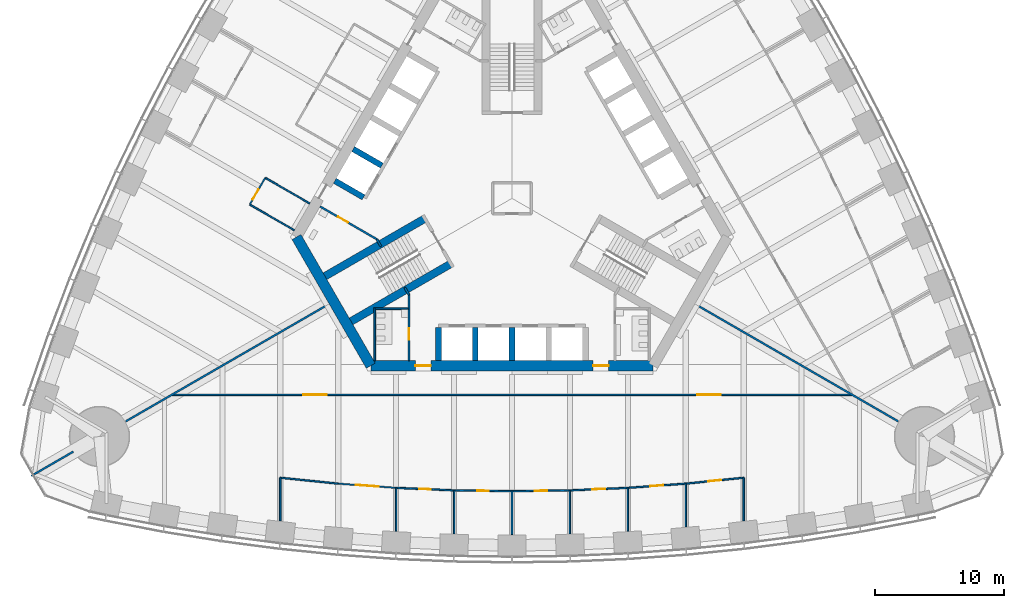
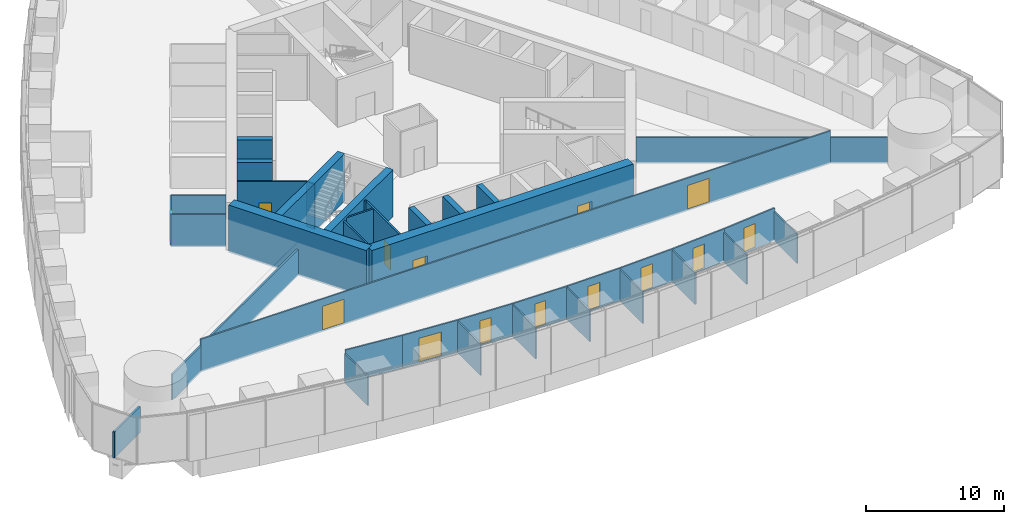
# One storey, part 10 of 18: 38 walls, 14 doors, 14 openings.
"""IFC4 building model written with IfcOpenShell, lengths in metres."""

import ifcopenshell
import ifcopenshell.guid

model = None  # the IFC model being written
_history = None  # IfcOwnerHistory: only IFC2X3 demands one
_inside = {}  # id of a spatial element -> (the spatial element, [elements in it])
_under = {}  # id of a project, library or spatial element -> (it, [spatial elements below it])
_declared = {}  # id of a project -> (the project, [libraries it declares])
_typed = {}  # id of a type object -> (the type object, [elements of that type])
_made_of = {}  # id of a material, layer set ... -> (it, [elements and type objects made of it])


def new_model(schema):
    """Start an empty IFC model of exactly this schema.

    Asked for "IFC4X3", IfcOpenShell would pick the latest addendum, in which some entities
    have other attributes; the version numbers below select the first issue.
    IFC2X3 requires an IfcOwnerHistory on every rooted entity: one is made here for all.
    """
    global model, _history
    if schema == "IFC4X3":
        model = ifcopenshell.file(schema_version=(4, 3, 0, 0))
    else:
        model = ifcopenshell.file(schema=schema)
    _inside.clear()
    _under.clear()
    _declared.clear()
    _typed.clear()
    _made_of.clear()
    _history = None
    if model.schema == "IFC2X3":
        org = make("IfcOrganization", Name="unknown")
        user = make(
            "IfcPersonAndOrganization",
            ThePerson=make("IfcPerson", FamilyName="unknown"),
            TheOrganization=org,
        )
        app = make(
            "IfcApplication",
            ApplicationDeveloper=org,
            Version="unknown",
            ApplicationFullName="unknown",
            ApplicationIdentifier="unknown",
        )
        _history = make(
            "IfcOwnerHistory",
            OwningUser=user,
            OwningApplication=app,
            ChangeAction="ADDED",
            CreationDate=0,
        )
    return model


def make(cls, **values):
    """One entity of the class cls with the attributes given. An attribute that is None is left unset."""
    return model.create_entity(
        cls, **{name: value for name, value in values.items() if value is not None}
    )


def rooted(cls, **values):
    """An entity with a GlobalId (a new one), such as an element, a storey or a relation."""
    return make(cls, GlobalId=ifcopenshell.guid.new(), OwnerHistory=_history, **values)


def si_unit(unit_type, name, prefix=None):
    """IfcSIUnit, for example si_unit("LENGTHUNIT", "METRE", prefix="MILLI")."""
    return make("IfcSIUnit", UnitType=unit_type, Prefix=prefix, Name=name)


def assignment(units):
    """IfcUnitAssignment: the units of a project."""
    return None if units is None else make("IfcUnitAssignment", Units=units)


def point(xyz):
    """IfcCartesianPoint."""
    return None if xyz is None else make("IfcCartesianPoint", Coordinates=xyz)


def direction(xyz):
    """IfcDirection."""
    return None if xyz is None else make("IfcDirection", DirectionRatios=xyz)


def frame(location, z_axis=None, x_axis=None):
    """IfcAxis2Placement3D, a coordinate frame: its origin and axes. An axis left out is left unset."""
    return make(
        "IfcAxis2Placement3D",
        Location=point(location),
        Axis=direction(z_axis),
        RefDirection=direction(x_axis),
    )


def frame_2d(location, x_axis=None):
    """IfcAxis2Placement2D, a coordinate frame in the plane: its origin and x axis."""
    return make(
        "IfcAxis2Placement2D", Location=point(location), RefDirection=direction(x_axis)
    )


def origin():
    """The frame at (0, 0, 0) with its axes left unset."""
    return frame((0.0, 0.0, 0.0))


def place(relative_to, where):
    """IfcLocalPlacement: puts the frame where relative to a parent placement (None: the world)."""
    return make(
        "IfcLocalPlacement", PlacementRelTo=relative_to, RelativePlacement=where
    )


def context(
    kind, dimensions, precision=None, world=None, true_north=None, identifier=None
):
    """IfcGeometricRepresentationContext, for example the 3D "Model" context."""
    return make(
        "IfcGeometricRepresentationContext",
        ContextIdentifier=identifier,
        ContextType=kind,
        CoordinateSpaceDimension=dimensions,
        Precision=precision,
        WorldCoordinateSystem=world,
        TrueNorth=true_north,
    )


def subcontext(parent, identifier, kind, view, scale=None):
    """IfcGeometricRepresentationSubContext, for example "Body" below "Model"."""
    return make(
        "IfcGeometricRepresentationSubContext",
        ContextIdentifier=identifier,
        ContextType=kind,
        ParentContext=parent,
        TargetScale=scale,
        TargetView=view,
    )


def project(units=None, contexts=None):
    """IfcProject with its units and contexts."""
    return rooted(
        "IfcProject",
        Name="project",
        RepresentationContexts=contexts,
        UnitsInContext=assignment(units),
    )


def spatial(cls, under=None, at=None, **own):
    """A site, building, storey or space (cls), placed at a placement, below another one or the project."""
    s = rooted(cls, ObjectPlacement=at, **own)
    if under is not None:
        _under.setdefault(under.id(), (under, []))[1].append(s)
    return s


def profile(cls, at=None, kind="AREA", **sizes):
    """A parametric profile (cls). Its sizes go by their IFC names, for example OverallWidth=200.0."""
    return make(cls, ProfileType=kind, Position=at, **sizes)


def rectangle(**sizes):
    """IfcRectangleProfileDef."""
    return profile("IfcRectangleProfileDef", **sizes)


def extrude(swept, where, along, depth):
    """IfcExtrudedAreaSolid: the profile swept, set in the frame where, extruded along a direction by depth."""
    return make(
        "IfcExtrudedAreaSolid",
        SweptArea=swept,
        Position=where,
        ExtrudedDirection=direction(along),
        Depth=depth,
    )


def shape(context_of_items, identifier, shape_type, items):
    """IfcShapeRepresentation: the items that make up one representation, for example the "Body"."""
    return make(
        "IfcShapeRepresentation",
        ContextOfItems=context_of_items,
        RepresentationIdentifier=identifier,
        RepresentationType=shape_type,
        Items=items,
    )


def material(Name=None, Category=None):
    """IfcMaterial."""
    return make("IfcMaterial", Name=Name, Category=Category)


def layer(
    of_material, thickness, ventilated=None, Name=None, Category=None, Priority=None
):
    """IfcMaterialLayer: one layer of a wall or slab, of a material (None: an air gap)."""
    return make(
        "IfcMaterialLayer",
        Material=of_material,
        LayerThickness=thickness,
        IsVentilated=ventilated,
        Name=Name,
        Category=Category,
        Priority=Priority,
    )


def layer_set(layers, Name=None):
    """IfcMaterialLayerSet."""
    return make("IfcMaterialLayerSet", MaterialLayers=layers, LayerSetName=Name)


def made_of(thing, what):
    """Note that an element or type object is made of a material, layer set ...; save() writes the relation."""
    if what is not None:
        _made_of.setdefault(what.id(), (what, []))[1].append(thing)
    return thing


def type_object(cls, material=None, **own):
    """A type object (cls), such as IfcWallType, which elements share."""
    return made_of(rooted(cls, **own), material)


def element(
    cls,
    number,
    at=None,
    inside=None,
    cuts=None,
    type_object=None,
    material=None,
    context=None,
    identifier="Body",
    shape_type=None,
    held_by="IfcProductDefinitionShape",
    body=None,
    shapes=None,
    **own,
):
    """One element of the class cls, such as IfcWall. Its Tag is "e" and its number.

    at: its placement. inside: the storey or other place that contains it. cuts: it is an
    opening in that element (IfcRelVoidsElement). A single representation is given by context,
    identifier, shape_type and body (its items); several are given by shapes. held_by: the class
    of the entity that holds the representations. save() writes the other relations.
    """
    e = rooted(cls, Tag="e%d" % number, ObjectPlacement=at, **own)
    if body is not None:
        shapes = [shape(context, identifier, shape_type, body)]
    if shapes is not None:
        e.Representation = make(held_by, Representations=shapes)
    if inside is not None:
        _inside.setdefault(inside.id(), (inside, []))[1].append(e)
    if cuts is not None:
        rooted(
            "IfcRelVoidsElement", RelatingBuildingElement=cuts, RelatedOpeningElement=e
        )
    if type_object is not None:
        _typed.setdefault(type_object.id(), (type_object, []))[1].append(e)
    return made_of(e, material)


def fill(opening, filler):
    """IfcRelFillsElement: the door or window that sits in an opening."""
    return rooted(
        "IfcRelFillsElement",
        RelatingOpeningElement=opening,
        RelatedBuildingElement=filler,
    )


def aggregate(whole, parts):
    """IfcRelAggregates: a whole, such as a stair, and the parts it consists of."""
    return rooted("IfcRelAggregates", RelatingObject=whole, RelatedObjects=parts)


def save(model, path):
    """Write the relations noted so far, then the file.

    IfcRelAggregates (storeys below a building ...), IfcRelContainedInSpatialStructure (elements
    in a storey), IfcRelDefinesByType, IfcRelAssociatesMaterial and IfcRelDeclares: one each for
    every whole, place, type object, material and project.
    """
    for whole, parts in _under.values():
        aggregate(whole, parts)
    for where, things in _inside.values():
        rooted(
            "IfcRelContainedInSpatialStructure",
            RelatedElements=things,
            RelatingStructure=where,
        )
    for kind, things in _typed.values():
        rooted("IfcRelDefinesByType", RelatedObjects=things, RelatingType=kind)
    for what, things in _made_of.values():
        rooted("IfcRelAssociatesMaterial", RelatedObjects=things, RelatingMaterial=what)
    for by, libraries in _declared.values():
        rooted("IfcRelDeclares", RelatingContext=by, RelatedDefinitions=libraries)
    model.write(path)


model = new_model("IFC4")

# Units and contexts
model_context = context("Model", 3, precision=1e-05, world=origin(), true_north=direction((0.0, 1.0)))
body_context = subcontext(model_context, "Body", "Model", "MODEL_VIEW")
ifc_project = project(units=[si_unit("LENGTHUNIT", "METRE"), si_unit("AREAUNIT", "SQUARE_METRE"), si_unit("VOLUMEUNIT", "CUBIC_METRE"), si_unit("PLANEANGLEUNIT", "RADIAN"), si_unit("MASSUNIT", "GRAM", prefix="KILO")], contexts=[model_context])

# Site, building, storey
site_placement = place(None, origin())
site = spatial("IfcSite", under=ifc_project, at=site_placement, CompositionType="ELEMENT")
building_placement = place(site_placement, origin())
building = spatial("IfcBuilding", under=site, at=building_placement, Name="Trefoil Bronze Tower", CompositionType="ELEMENT")
storey_placement = place(building_placement, frame((0.0, 0.0, 62.699951171875)))
storey = spatial("IfcBuildingStorey", under=building, at=storey_placement, Name="L14", CompositionType="ELEMENT", Elevation=62.699951171875)

# Wall, openings, doors
ifc_material_1 = material(Name="Concrete B80", Category="concrete")
ifc_layer_1 = layer(ifc_material_1, 0.800048828125)
ifc_layer_set_1 = layer_set([ifc_layer_1], Name="Core wall 800")
wall_type_1 = type_object("IfcWallType", Name="Core wall 800", PredefinedType="SHEAR", material=ifc_layer_set_1)
wall_1_placement = place(storey_placement, frame((-10.9697265625, -13.0, 0.0), z_axis=(0.0, 0.0, 1.0), x_axis=(1.0, 0.0, 0.0)))
wall_1 = element("IfcWall", 1, at=wall_1_placement, inside=storey, type_object=wall_type_1, Name="Core long wall 1 L14", PredefinedType="SHEAR", context=body_context, shape_type="SweptSolid", body=[
    extrude(rectangle(XDim=21.939453125, YDim=0.800048828125, at=frame_2d((10.9697265625, 0.0))), origin(), (0.0, 0.0, 1.0), 4.199951171875),
])
opening_1_placement = place(wall_1_placement, frame((17.269775390625, 0.0, 0.0)))
opening_1 = element("IfcOpeningElement", 2, at=opening_1_placement, cuts=wall_1, Name="Opening D2", PredefinedType="OPENING", context=body_context, shape_type="SweptSolid", body=[
    extrude(rectangle(XDim=1.199951171875, YDim=2.10009765625, at=frame_2d((0.60009765625, 1.050048828125))), frame((0.0, 0.409912109375, 0.0), z_axis=(0.0, -1.0, 0.0), x_axis=(1.0, 0.0, 0.0)), (0.0, 0.0, 1.0), 0.820068359375),
])
opening_2_placement = place(wall_1_placement, frame((3.4697265625, 0.0, 0.0)))
opening_2 = element("IfcOpeningElement", 3, at=opening_2_placement, cuts=wall_1, Name="Opening D2", PredefinedType="OPENING", context=body_context, shape_type="SweptSolid", body=[
    extrude(rectangle(XDim=1.199951171875, YDim=2.10009765625, at=frame_2d((0.60009765625, 1.050048828125))), frame((0.0, 0.409912109375, 0.0), z_axis=(0.0, -1.0, 0.0), x_axis=(1.0, 0.0, 0.0)), (0.0, 0.0, 1.0), 0.820068359375),
])
ifc_material_2 = material(Name="Steel door", Category="steel")
door_type_1 = type_object("IfcDoorType", Name="Lobby door 1200", OperationType="SINGLE_SWING_RIGHT", PredefinedType="DOOR", material=ifc_material_2)
door_1_placement = place(opening_1_placement, origin())
door_1 = element("IfcDoor", 4, at=door_1_placement, inside=storey, type_object=door_type_1, Name="Lobby door F1+ L14", OperationType="SINGLE_SWING_RIGHT", OverallHeight=2.10009765625, OverallWidth=1.199951171875, PredefinedType="DOOR", context=body_context, shape_type="SweptSolid", body=[
    extrude(rectangle(XDim=1.199951171875, YDim=2.10009765625, at=frame_2d((0.60009765625, 1.050048828125))), frame((0.0, 0.02490234375, 0.0), z_axis=(0.0, -1.0, 0.0), x_axis=(1.0, 0.0, 0.0)), (0.0, 0.0, 1.0), 0.050048828125),
])
fill(opening_1, door_1)
door_2_placement = place(opening_2_placement, origin())
door_2 = element("IfcDoor", 5, at=door_2_placement, inside=storey, type_object=door_type_1, Name="Lobby door F1- L14", OperationType="SINGLE_SWING_LEFT", OverallHeight=2.10009765625, OverallWidth=1.199951171875, PredefinedType="DOOR", context=body_context, shape_type="SweptSolid", body=[
    extrude(rectangle(XDim=1.199951171875, YDim=2.10009765625, at=frame_2d((0.60009765625, 1.050048828125))), frame((0.0, 0.02490234375, 0.0), z_axis=(0.0, -1.0, 0.0), x_axis=(1.0, 0.0, 0.0)), (0.0, 0.0, 1.0), 0.050048828125),
])
fill(opening_2, door_2)

# Wall
wall_2_placement = place(storey_placement, frame((-16.7431640625, -3.0, 0.0), z_axis=(0.0, 0.0, 1.0), x_axis=(0.499995765644, -0.866027848477, 0.0)))
element("IfcWall", 6, at=wall_2_placement, inside=storey, type_object=wall_type_1, Name="Core short wall 3 L14", PredefinedType="SHEAR", context=body_context, shape_type="SweptSolid", body=[
    extrude(rectangle(XDim=11.546875, YDim=0.800048828125, at=frame_2d((5.7734375, 0.0))), origin(), (0.0, 0.0, 1.0), 4.199951171875),
])

# Wall, openings, doors
ifc_material_3 = material(Name="Glazed partition", Category="glass")
ifc_layer_2 = layer(ifc_material_3, 0.1201171875)
ifc_layer_set_2 = layer_set([ifc_layer_2], Name="Glazed partition 120")
wall_type_2 = type_object("IfcWallType", Name="Glazed partition 120", PredefinedType="PARTITIONING", material=ifc_layer_set_2)
wall_3_placement = place(storey_placement, frame((-26.398193359375, -15.260009765625, 0.0), z_axis=(0.0, 0.0, 1.0), x_axis=(1.0, 0.0, 0.0)))
wall_3 = element("IfcWall", 7, at=wall_3_placement, inside=storey, type_object=wall_type_2, Name="Partition F1 L14", PredefinedType="PARTITIONING", context=body_context, shape_type="SweptSolid", body=[
    extrude(rectangle(XDim=52.79638671875, YDim=0.1201171875, at=frame_2d((26.398193359375, 0.0))), origin(), (0.0, 0.0, 1.0), 2.900146484375),
])
opening_3_placement = place(wall_3_placement, frame((10.199951171875, 0.0, 0.14990234375)))
opening_3 = element("IfcOpeningElement", 8, at=opening_3_placement, cuts=wall_3, Name="Opening D10", PredefinedType="OPENING", context=body_context, shape_type="SweptSolid", body=[
    extrude(rectangle(XDim=1.800048828125, YDim=2.10009765625, at=frame_2d((0.89990234375, 1.050048828125))), frame((0.0, 0.070068359375, 0.0), z_axis=(0.0, -1.0, 0.0), x_axis=(1.0, 0.0, 0.0)), (0.0, 0.0, 1.0), 0.14013671875),
])
opening_4_placement = place(wall_3_placement, frame((40.800048828125, 0.0, 0.14990234375)))
opening_4 = element("IfcOpeningElement", 9, at=opening_4_placement, cuts=wall_3, Name="Opening D10", PredefinedType="OPENING", context=body_context, shape_type="SweptSolid", body=[
    extrude(rectangle(XDim=1.800048828125, YDim=2.10009765625, at=frame_2d((0.89990234375, 1.050048828125))), frame((0.0, 0.070068359375, 0.0), z_axis=(0.0, -1.0, 0.0), x_axis=(1.0, 0.0, 0.0)), (0.0, 0.0, 1.0), 0.14013671875),
])
ifc_material_4 = material(Name="Timber door", Category="wood")
door_type_2 = type_object("IfcDoorType", Name="Double door 1800", OperationType="DOUBLE_DOOR_SINGLE_SWING", PredefinedType="DOOR", material=ifc_material_4)
door_3_placement = place(opening_3_placement, origin())
door_3 = element("IfcDoor", 10, at=door_3_placement, inside=storey, type_object=door_type_2, Name="Corridor door F1 L14", OperationType="DOUBLE_DOOR_SINGLE_SWING", OverallHeight=2.10009765625, OverallWidth=1.800048828125, PredefinedType="DOOR", context=body_context, shape_type="SweptSolid", body=[
    extrude(rectangle(XDim=1.800048828125, YDim=2.10009765625, at=frame_2d((0.89990234375, 1.050048828125))), frame((0.0, 0.02490234375, 0.0), z_axis=(0.0, -1.0, 0.0), x_axis=(1.0, 0.0, 0.0)), (0.0, 0.0, 1.0), 0.050048828125),
])
fill(opening_3, door_3)
door_4_placement = place(opening_4_placement, origin())
door_4 = element("IfcDoor", 11, at=door_4_placement, inside=storey, type_object=door_type_2, Name="Corridor door F1 L14", OperationType="DOUBLE_DOOR_SINGLE_SWING", OverallHeight=2.10009765625, OverallWidth=1.800048828125, PredefinedType="DOOR", context=body_context, shape_type="SweptSolid", body=[
    extrude(rectangle(XDim=1.800048828125, YDim=2.10009765625, at=frame_2d((0.89990234375, 1.050048828125))), frame((0.0, 0.02490234375, 0.0), z_axis=(0.0, -1.0, 0.0), x_axis=(1.0, 0.0, 0.0)), (0.0, 0.0, 1.0), 0.050048828125),
])
fill(opening_4, door_4)

# Wall, opening, door
wall_4_placement = place(storey_placement, frame((0.0, -22.748779296875, 0.0), z_axis=(0.0, 0.0, 1.0), x_axis=(0.999894311967, 0.014538393859, 0.0)))
wall_4 = element("IfcWall", 12, at=wall_4_placement, inside=storey, type_object=wall_type_2, Name="Partition F1 L14", PredefinedType="PARTITIONING", context=body_context, shape_type="SweptSolid", body=[
    extrude(rectangle(XDim=4.50048828125, YDim=0.1201171875, at=frame_2d((2.250244140625, 0.0))), origin(), (0.0, 0.0, 1.0), 2.900146484375),
])
opening_5_placement = place(wall_4_placement, frame((1.75, 0.0, 0.14990234375)))
opening_5 = element("IfcOpeningElement", 13, at=opening_5_placement, cuts=wall_4, Name="Opening D9", PredefinedType="OPENING", context=body_context, shape_type="SweptSolid", body=[
    extrude(rectangle(XDim=1.0, YDim=2.10009765625, at=frame_2d((0.5, 1.050048828125))), frame((0.0, 0.070068359375, 0.0), z_axis=(0.0, -1.0, 0.0), x_axis=(1.0, 0.0, 0.0)), (0.0, 0.0, 1.0), 0.14013671875),
])
ifc_material_5 = material(Name="Glazed timber door", Category="wood")
door_type_3 = type_object("IfcDoorType", Name="Meeting room door 1000", OperationType="SINGLE_SWING_LEFT", PredefinedType="DOOR", material=ifc_material_5)
door_5_placement = place(opening_5_placement, frame((1.0, 0.0, 0.0), z_axis=(0.0, 0.0, 1.0), x_axis=(-1.0, 0.0, 0.0)))
door_5 = element("IfcDoor", 14, at=door_5_placement, inside=storey, type_object=door_type_3, Name="Meeting room door F1 L14", OperationType="SINGLE_SWING_RIGHT", OverallHeight=2.10009765625, OverallWidth=1.0, PredefinedType="DOOR", context=body_context, shape_type="SweptSolid", body=[
    extrude(rectangle(XDim=1.0, YDim=2.10009765625, at=frame_2d((0.5, 1.050048828125))), frame((0.0, 0.02490234375, 0.0), z_axis=(0.0, -1.0, 0.0), x_axis=(1.0, 0.0, 0.0)), (0.0, 0.0, 1.0), 0.050048828125),
])
fill(opening_5, door_5)

wall_5_placement = place(storey_placement, frame((13.5, -22.159912109375, 0.0), z_axis=(0.0, 0.0, 1.0), x_axis=(0.994833141332, 0.101523499286, 0.0)))
wall_5 = element("IfcWall", 15, at=wall_5_placement, inside=storey, type_object=wall_type_2, Name="Partition F1 L14", PredefinedType="PARTITIONING", context=body_context, shape_type="SweptSolid", body=[
    extrude(rectangle(XDim=4.5234375, YDim=0.1201171875, at=frame_2d((2.26171875, 0.0))), origin(), (0.0, 0.0, 1.0), 2.900146484375),
])
opening_6_placement = place(wall_5_placement, frame((1.75, 0.0, 0.14990234375)))
opening_6 = element("IfcOpeningElement", 16, at=opening_6_placement, cuts=wall_5, Name="Opening D9", PredefinedType="OPENING", context=body_context, shape_type="SweptSolid", body=[
    extrude(rectangle(XDim=1.0, YDim=2.10009765625, at=frame_2d((0.5, 1.050048828125))), frame((0.0, 0.070068359375, 0.0), z_axis=(0.0, -1.0, 0.0), x_axis=(1.0, 0.0, 0.0)), (0.0, 0.0, 1.0), 0.14013671875),
])
door_6_placement = place(opening_6_placement, frame((1.0, 0.0, 0.0), z_axis=(0.0, 0.0, 1.0), x_axis=(-1.0, 0.0, 0.0)))
door_6 = element("IfcDoor", 17, at=door_6_placement, inside=storey, type_object=door_type_3, Name="Meeting room door F1 L14", OperationType="SINGLE_SWING_RIGHT", OverallHeight=2.10009765625, OverallWidth=1.0, PredefinedType="DOOR", context=body_context, shape_type="SweptSolid", body=[
    extrude(rectangle(XDim=1.0, YDim=2.10009765625, at=frame_2d((0.5, 1.050048828125))), frame((0.0, 0.02490234375, 0.0), z_axis=(0.0, -1.0, 0.0), x_axis=(1.0, 0.0, 0.0)), (0.0, 0.0, 1.0), 0.050048828125),
])
fill(opening_6, door_6)

wall_6_placement = place(storey_placement, frame((4.5, -22.683349609375, 0.0), z_axis=(0.0, 0.0, 1.0), x_axis=(0.999052370647, 0.043524254212, 0.0)))
wall_6 = element("IfcWall", 18, at=wall_6_placement, inside=storey, type_object=wall_type_2, Name="Partition F1 L14", PredefinedType="PARTITIONING", context=body_context, shape_type="SweptSolid", body=[
    extrude(rectangle(XDim=4.504150390625, YDim=0.1201171875, at=frame_2d((2.251953125, 0.0))), origin(), (0.0, 0.0, 1.0), 2.900146484375),
])
opening_7_placement = place(wall_6_placement, frame((1.75, 0.0, 0.14990234375)))
opening_7 = element("IfcOpeningElement", 19, at=opening_7_placement, cuts=wall_6, Name="Opening D9", PredefinedType="OPENING", context=body_context, shape_type="SweptSolid", body=[
    extrude(rectangle(XDim=1.0, YDim=2.10009765625, at=frame_2d((0.5, 1.050048828125))), frame((0.0, 0.070068359375, 0.0), z_axis=(0.0, -1.0, 0.0), x_axis=(1.0, 0.0, 0.0)), (0.0, 0.0, 1.0), 0.14013671875),
])
door_7_placement = place(opening_7_placement, frame((1.0, 0.0, 0.0), z_axis=(0.0, 0.0, 1.0), x_axis=(-1.0, 0.0, 0.0)))
door_7 = element("IfcDoor", 20, at=door_7_placement, inside=storey, type_object=door_type_3, Name="Meeting room door F1 L14", OperationType="SINGLE_SWING_RIGHT", OverallHeight=2.10009765625, OverallWidth=1.0, PredefinedType="DOOR", context=body_context, shape_type="SweptSolid", body=[
    extrude(rectangle(XDim=1.0, YDim=2.10009765625, at=frame_2d((0.5, 1.050048828125))), frame((0.0, 0.02490234375, 0.0), z_axis=(0.0, -1.0, 0.0), x_axis=(1.0, 0.0, 0.0)), (0.0, 0.0, 1.0), 0.050048828125),
])
fill(opening_7, door_7)

wall_7_placement = place(storey_placement, frame((9.0, -22.4873046875, 0.0), z_axis=(0.0, 0.0, 1.0), x_axis=(0.997363894896, 0.072562119306, 0.0)))
wall_7 = element("IfcWall", 21, at=wall_7_placement, inside=storey, type_object=wall_type_2, Name="Partition F1 L14", PredefinedType="PARTITIONING", context=body_context, shape_type="SweptSolid", body=[
    extrude(rectangle(XDim=4.511962890625, YDim=0.1201171875, at=frame_2d((2.255859375, 0.0))), origin(), (0.0, 0.0, 1.0), 2.900146484375),
])
opening_8_placement = place(wall_7_placement, frame((1.75, 0.0, 0.14990234375)))
opening_8 = element("IfcOpeningElement", 22, at=opening_8_placement, cuts=wall_7, Name="Opening D9", PredefinedType="OPENING", context=body_context, shape_type="SweptSolid", body=[
    extrude(rectangle(XDim=1.0, YDim=2.10009765625, at=frame_2d((0.5, 1.050048828125))), frame((0.0, 0.070068359375, 0.0), z_axis=(0.0, -1.0, 0.0), x_axis=(1.0, 0.0, 0.0)), (0.0, 0.0, 1.0), 0.14013671875),
])
door_8_placement = place(opening_8_placement, frame((1.0, 0.0, 0.0), z_axis=(0.0, 0.0, 1.0), x_axis=(-1.0, 0.0, 0.0)))
door_8 = element("IfcDoor", 23, at=door_8_placement, inside=storey, type_object=door_type_3, Name="Meeting room door F1 L14", OperationType="SINGLE_SWING_RIGHT", OverallHeight=2.10009765625, OverallWidth=1.0, PredefinedType="DOOR", context=body_context, shape_type="SweptSolid", body=[
    extrude(rectangle(XDim=1.0, YDim=2.10009765625, at=frame_2d((0.5, 1.050048828125))), frame((0.0, 0.02490234375, 0.0), z_axis=(0.0, -1.0, 0.0), x_axis=(1.0, 0.0, 0.0)), (0.0, 0.0, 1.0), 0.050048828125),
])
fill(opening_8, door_8)

wall_8_placement = place(storey_placement, frame((-13.5, -22.159912109375, 0.0), z_axis=(0.0, 0.0, 1.0), x_axis=(0.997363894896, -0.072562119306, 0.0)))
wall_8 = element("IfcWall", 24, at=wall_8_placement, inside=storey, type_object=wall_type_2, Name="Partition F1 L14", PredefinedType="PARTITIONING", context=body_context, shape_type="SweptSolid", body=[
    extrude(rectangle(XDim=4.511962890625, YDim=0.1201171875, at=frame_2d((2.255859375, 0.0))), origin(), (0.0, 0.0, 1.0), 2.900146484375),
])
opening_9_placement = place(wall_8_placement, frame((1.35009765625, 0.0, 0.14990234375)))
opening_9 = element("IfcOpeningElement", 25, at=opening_9_placement, cuts=wall_8, Name="Opening D10", PredefinedType="OPENING", context=body_context, shape_type="SweptSolid", body=[
    extrude(rectangle(XDim=1.800048828125, YDim=2.10009765625, at=frame_2d((0.89990234375, 1.050048828125))), frame((0.0, 0.070068359375, 0.0), z_axis=(0.0, -1.0, 0.0), x_axis=(1.0, 0.0, 0.0)), (0.0, 0.0, 1.0), 0.14013671875),
])
door_9_placement = place(opening_9_placement, frame((1.800048828125, 0.0, 0.0), z_axis=(0.0, 0.0, 1.0), x_axis=(-1.0, 0.0, 0.0)))
door_9 = element("IfcDoor", 26, at=door_9_placement, inside=storey, type_object=door_type_2, Name="Kitchen and breakout door F1 L14", OperationType="DOUBLE_DOOR_SINGLE_SWING", OverallHeight=2.10009765625, OverallWidth=1.800048828125, PredefinedType="DOOR", context=body_context, shape_type="SweptSolid", body=[
    extrude(rectangle(XDim=1.800048828125, YDim=2.10009765625, at=frame_2d((0.89990234375, 1.050048828125))), frame((0.0, 0.02490234375, 0.0), z_axis=(0.0, -1.0, 0.0), x_axis=(1.0, 0.0, 0.0)), (0.0, 0.0, 1.0), 0.050048828125),
])
fill(opening_9, door_9)

# Wall
wall_9_placement = place(storey_placement, frame((-18.0, -21.70068359375, 0.0), z_axis=(0.0, 0.0, 1.0), x_axis=(0.994833141332, -0.101523499286, 0.0)))
element("IfcWall", 27, at=wall_9_placement, inside=storey, type_object=wall_type_2, Name="Partition F1 L14", PredefinedType="PARTITIONING", context=body_context, shape_type="SweptSolid", body=[
    extrude(rectangle(XDim=4.5234375, YDim=0.1201171875, at=frame_2d((2.26171875, 0.0))), origin(), (0.0, 0.0, 1.0), 2.900146484375),
])

# Wall, opening, door
wall_10_placement = place(storey_placement, frame((-4.5, -22.683349609375, 0.0), z_axis=(0.0, 0.0, 1.0), x_axis=(0.999894311967, -0.014538393859, 0.0)))
wall_10 = element("IfcWall", 28, at=wall_10_placement, inside=storey, type_object=wall_type_2, Name="Partition F1 L14", PredefinedType="PARTITIONING", context=body_context, shape_type="SweptSolid", body=[
    extrude(rectangle(XDim=4.50048828125, YDim=0.1201171875, at=frame_2d((2.250244140625, 0.0))), origin(), (0.0, 0.0, 1.0), 2.900146484375),
])
opening_10_placement = place(wall_10_placement, frame((1.800048828125, 0.0, 0.14990234375)))
opening_10 = element("IfcOpeningElement", 29, at=opening_10_placement, cuts=wall_10, Name="Opening D8", PredefinedType="OPENING", context=body_context, shape_type="SweptSolid", body=[
    extrude(rectangle(XDim=0.89990234375, YDim=2.10009765625, at=frame_2d((0.449951171875, 1.050048828125))), frame((0.0, 0.070068359375, 0.0), z_axis=(0.0, -1.0, 0.0), x_axis=(1.0, 0.0, 0.0)), (0.0, 0.0, 1.0), 0.14013671875),
])
ifc_material_6 = material(Name="Timber door", Category="wood")
door_type_4 = type_object("IfcDoorType", Name="Office door 900", OperationType="SINGLE_SWING_LEFT", PredefinedType="DOOR", material=ifc_material_6)
door_10_placement = place(opening_10_placement, frame((0.89990234375, 0.0, 0.0), z_axis=(0.0, 0.0, 1.0), x_axis=(-1.0, 0.0, 0.0)))
door_10 = element("IfcDoor", 30, at=door_10_placement, inside=storey, type_object=door_type_4, Name="Office door F1 L14", OperationType="SINGLE_SWING_RIGHT", OverallHeight=2.10009765625, OverallWidth=0.89990234375, PredefinedType="DOOR", context=body_context, shape_type="SweptSolid", body=[
    extrude(rectangle(XDim=0.89990234375, YDim=2.10009765625, at=frame_2d((0.449951171875, 1.050048828125))), frame((0.0, 0.02490234375, 0.0), z_axis=(0.0, -1.0, 0.0), x_axis=(1.0, 0.0, 0.0)), (0.0, 0.0, 1.0), 0.050048828125),
])
fill(opening_10, door_10)

wall_11_placement = place(storey_placement, frame((-9.0, -22.4873046875, 0.0), z_axis=(0.0, 0.0, 1.0), x_axis=(0.999052370647, -0.043524254212, 0.0)))
wall_11 = element("IfcWall", 31, at=wall_11_placement, inside=storey, type_object=wall_type_2, Name="Partition F1 L14", PredefinedType="PARTITIONING", context=body_context, shape_type="SweptSolid", body=[
    extrude(rectangle(XDim=4.504150390625, YDim=0.1201171875, at=frame_2d((2.251953125, 0.0))), origin(), (0.0, 0.0, 1.0), 2.900146484375),
])
opening_11_placement = place(wall_11_placement, frame((1.800048828125, 0.0, 0.14990234375)))
opening_11 = element("IfcOpeningElement", 32, at=opening_11_placement, cuts=wall_11, Name="Opening D8", PredefinedType="OPENING", context=body_context, shape_type="SweptSolid", body=[
    extrude(rectangle(XDim=0.89990234375, YDim=2.10009765625, at=frame_2d((0.449951171875, 1.050048828125))), frame((0.0, 0.070068359375, 0.0), z_axis=(0.0, -1.0, 0.0), x_axis=(1.0, 0.0, 0.0)), (0.0, 0.0, 1.0), 0.14013671875),
])
door_11_placement = place(opening_11_placement, frame((0.89990234375, 0.0, 0.0), z_axis=(0.0, 0.0, 1.0), x_axis=(-1.0, 0.0, 0.0)))
door_11 = element("IfcDoor", 33, at=door_11_placement, inside=storey, type_object=door_type_4, Name="Office door F1 L14", OperationType="SINGLE_SWING_RIGHT", OverallHeight=2.10009765625, OverallWidth=0.89990234375, PredefinedType="DOOR", context=body_context, shape_type="SweptSolid", body=[
    extrude(rectangle(XDim=0.89990234375, YDim=2.10009765625, at=frame_2d((0.449951171875, 1.050048828125))), frame((0.0, 0.02490234375, 0.0), z_axis=(0.0, -1.0, 0.0), x_axis=(1.0, 0.0, 0.0)), (0.0, 0.0, 1.0), 0.050048828125),
])
fill(opening_11, door_11)

# Walls
wall_12_placement = place(storey_placement, frame((0.0, -22.748779296875, 0.0), z_axis=(0.0, 0.0, 1.0), x_axis=(0.0, -1.0, 0.0)))
element("IfcWall", 34, at=wall_12_placement, inside=storey, type_object=wall_type_2, Name="Partition F1 L14", PredefinedType="PARTITIONING", context=body_context, shape_type="SweptSolid", body=[
    extrude(rectangle(XDim=3.369873046875, YDim=0.1201171875, at=frame_2d((1.68505859375, 0.0))), origin(), (0.0, 0.0, 1.0), 2.800048828125),
])
wall_13_placement = place(storey_placement, frame((13.5, -22.159912109375, 0.0), z_axis=(0.0, 0.0, 1.0), x_axis=(0.0, -1.0, 0.0)))
element("IfcWall", 35, at=wall_13_placement, inside=storey, type_object=wall_type_2, Name="Partition F1 L14", PredefinedType="PARTITIONING", context=body_context, shape_type="SweptSolid", body=[
    extrude(rectangle(XDim=3.364013671875, YDim=0.1201171875, at=frame_2d((1.68212890625, 0.0))), origin(), (0.0, 0.0, 1.0), 2.60009765625),
])
wall_14_placement = place(storey_placement, frame((18.0, -21.70068359375, 0.0), z_axis=(0.0, 0.0, 1.0), x_axis=(0.0, -1.0, 0.0)))
element("IfcWall", 36, at=wall_14_placement, inside=storey, type_object=wall_type_2, Name="Partition F1 L14", PredefinedType="PARTITIONING", context=body_context, shape_type="SweptSolid", body=[
    extrude(rectangle(XDim=3.35888671875, YDim=0.1201171875, at=frame_2d((1.679443359375, 0.0))), origin(), (0.0, 0.0, 1.0), 2.60009765625),
])
wall_15_placement = place(storey_placement, frame((4.5, -22.683349609375, 0.0), z_axis=(0.0, 0.0, 1.0), x_axis=(0.0, -1.0, 0.0)))
element("IfcWall", 37, at=wall_15_placement, inside=storey, type_object=wall_type_2, Name="Partition F1 L14", PredefinedType="PARTITIONING", context=body_context, shape_type="SweptSolid", body=[
    extrude(rectangle(XDim=3.369384765625, YDim=0.1201171875, at=frame_2d((1.6845703125, 0.0))), origin(), (0.0, 0.0, 1.0), 2.800048828125),
])
wall_16_placement = place(storey_placement, frame((9.0, -22.4873046875, 0.0), z_axis=(0.0, 0.0, 1.0), x_axis=(0.0, -1.0, 0.0)))
element("IfcWall", 38, at=wall_16_placement, inside=storey, type_object=wall_type_2, Name="Partition F1 L14", PredefinedType="PARTITIONING", context=body_context, shape_type="SweptSolid", body=[
    extrude(rectangle(XDim=3.367431640625, YDim=0.1201171875, at=frame_2d((1.68359375, 0.0))), origin(), (0.0, 0.0, 1.0), 2.800048828125),
])
wall_17_placement = place(storey_placement, frame((-18.0, -21.70068359375, 0.0), z_axis=(0.0, 0.0, 1.0), x_axis=(0.0, -1.0, 0.0)))
element("IfcWall", 39, at=wall_17_placement, inside=storey, type_object=wall_type_2, Name="Partition F1 L14", PredefinedType="PARTITIONING", context=body_context, shape_type="SweptSolid", body=[
    extrude(rectangle(XDim=3.35888671875, YDim=0.1201171875, at=frame_2d((1.679443359375, 0.0))), origin(), (0.0, 0.0, 1.0), 2.60009765625),
])
wall_18_placement = place(storey_placement, frame((-4.5, -22.683349609375, 0.0), z_axis=(0.0, 0.0, 1.0), x_axis=(0.0, -1.0, 0.0)))
element("IfcWall", 40, at=wall_18_placement, inside=storey, type_object=wall_type_2, Name="Partition F1 L14", PredefinedType="PARTITIONING", context=body_context, shape_type="SweptSolid", body=[
    extrude(rectangle(XDim=3.369384765625, YDim=0.1201171875, at=frame_2d((1.6845703125, 0.0))), origin(), (0.0, 0.0, 1.0), 2.800048828125),
])
wall_19_placement = place(storey_placement, frame((-9.0, -22.4873046875, 0.0), z_axis=(0.0, 0.0, 1.0), x_axis=(0.0, -1.0, 0.0)))
element("IfcWall", 41, at=wall_19_placement, inside=storey, type_object=wall_type_2, Name="Partition F1 L14", PredefinedType="PARTITIONING", context=body_context, shape_type="SweptSolid", body=[
    extrude(rectangle(XDim=3.367431640625, YDim=0.1201171875, at=frame_2d((1.68359375, 0.0))), origin(), (0.0, 0.0, 1.0), 2.800048828125),
])

# Wall, opening, door
wall_20_placement = place(storey_placement, frame((-19.1689453125, 1.5986328125, 0.0), z_axis=(0.0, 0.0, 1.0), x_axis=(-0.499957262057, -0.866050077142, 0.0)))
wall_20 = element("IfcWall", 42, at=wall_20_placement, inside=storey, type_object=wall_type_2, Name="Partition F3 L14", PredefinedType="PARTITIONING", context=body_context, shape_type="SweptSolid", body=[
    extrude(rectangle(XDim=2.400146484375, YDim=0.1201171875, at=frame_2d((1.2001953125, 0.0))), origin(), (0.0, 0.0, 1.0), 2.900146484375),
])
opening_12_placement = place(wall_20_placement, frame((1.050048828125, 0.0, 0.14990234375)))
opening_12 = element("IfcOpeningElement", 43, at=opening_12_placement, cuts=wall_20, Name="Opening D8", PredefinedType="OPENING", context=body_context, shape_type="SweptSolid", body=[
    extrude(rectangle(XDim=0.89990234375, YDim=2.10009765625, at=frame_2d((0.449951171875, 1.050048828125))), frame((0.0, 0.070068359375, 0.0), z_axis=(0.0, -1.0, 0.0), x_axis=(1.0, 0.0, 0.0)), (0.0, 0.0, 1.0), 0.14013671875),
])
door_12_placement = place(opening_12_placement, origin())
door_12 = element("IfcDoor", 44, at=door_12_placement, inside=storey, type_object=door_type_4, Name="Comms room door F3 L14", OperationType="SINGLE_SWING_RIGHT", OverallHeight=2.10009765625, OverallWidth=0.89990234375, PredefinedType="DOOR", context=body_context, shape_type="SweptSolid", body=[
    extrude(rectangle(XDim=0.89990234375, YDim=2.10009765625, at=frame_2d((0.449951171875, 1.050048828125))), frame((0.0, 0.02490234375, 0.0), z_axis=(0.0, -1.0, 0.0), x_axis=(1.0, 0.0, 0.0)), (0.0, 0.0, 1.0), 0.050048828125),
])
fill(opening_12, door_12)

# Walls
for number, where, z_axis, x_axis, name in (
    (45, (-16.90478515625, -2.47998046875, 0.0), (0.0, 0.0, 1.0), (-0.866026010844, 0.49999894854, 0.0), "Partition F3 L14"),
    (46, (-15.704833984375, -0.4013671875, 0.0), (0.0, 0.0, 1.0), (-0.866026010844, 0.49999894854, 0.0), "Partition F3 L14"),
):
    element("IfcWall", number, at=place(storey_placement, frame(where, z_axis=z_axis, x_axis=x_axis)), inside=storey, type_object=wall_type_2, Name=name, PredefinedType="PARTITIONING", context=body_context, shape_type="SweptSolid", body=[
        extrude(rectangle(XDim=4.0, YDim=0.1201171875, at=frame_2d((2.0, 0.0))), origin(), (0.0, 0.0, 1.0), 2.900146484375),
    ])
ifc_material_7 = material(Name="Concrete B80", Category="concrete")
ifc_layer_3 = layer(ifc_material_7, 0.449951171875)
ifc_layer_set_3 = layer_set([ifc_layer_3], Name="Outrigger shaft wall 450")
wall_type_3 = type_object("IfcWallType", Name="Outrigger shaft wall 450", PredefinedType="SHEAR", material=ifc_layer_set_3)
for number, where, z_axis, x_axis, name in (
    (47, (-5.699951171875, -10.02490234375, 0.0), (0.0, 0.0, 1.0), (0.0, -1.0, 0.0), "Lift shaft side wall A0 L14"),
    (48, (-2.85009765625, -10.02490234375, 0.0), (0.0, 0.0, 1.0), (0.0, -1.0, 0.0), "Lift shaft side wall A1 L14"),
    (49, (0.0, -10.02490234375, 0.0), (0.0, 0.0, 1.0), (0.0, -1.0, 0.0), "Lift shaft side wall A2 L14"),
):
    element("IfcWall", number, at=place(storey_placement, frame(where, z_axis=z_axis, x_axis=x_axis)), inside=storey, type_object=wall_type_3, Name=name, PredefinedType="SHEAR", context=body_context, shape_type="SweptSolid", body=[
        extrude(rectangle(XDim=2.5751953125, YDim=0.449951171875, at=frame_2d((1.28759765625, 0.0))), origin(), (0.0, 0.0, 1.0), 4.199951171875),
    ])
for number, where, z_axis, x_axis, name in (
    (50, (-10.10693359375, 2.54443359375, 0.0), (0.0, 0.0, 1.0), (-0.866046643894, 0.499963209246, 0.0), "Lift shaft side wall C3 L14"),
    (51, (-11.531982421875, 0.076171875, 0.0), (0.0, 0.0, 1.0), (-0.866005588531, 0.500034319456, 0.0), "Lift shaft side wall C4 L14"),
):
    element("IfcWall", number, at=place(storey_placement, frame(where, z_axis=z_axis, x_axis=x_axis)), inside=storey, type_object=wall_type_3, Name=name, PredefinedType="SHEAR", context=body_context, shape_type="SweptSolid", body=[
        extrude(rectangle(XDim=2.574951171875, YDim=0.449951171875, at=frame_2d((1.28759765625, 0.0))), origin(), (0.0, 0.0, 1.0), 4.199951171875),
    ])

# Wall, opening, door
ifc_material_8 = material(Name="Gypsum board on steel studs", Category="steel")
ifc_layer_4 = layer(ifc_material_8, 0.14990234375)
ifc_layer_set_4 = layer_set([ifc_layer_4], Name="Partition 150")
wall_type_4 = type_object("IfcWallType", Name="Partition 150", PredefinedType="PARTITIONING", material=ifc_layer_set_4)
wall_21_placement = place(storey_placement, frame((-8.0, -7.5, 0.0), z_axis=(0.0, 0.0, 1.0), x_axis=(0.0, -1.0, 0.0)))
wall_21 = element("IfcWall", 52, at=wall_21_placement, inside=storey, type_object=wall_type_4, Name="Passage wall F1- L14", PredefinedType="PARTITIONING", context=body_context, shape_type="SweptSolid", body=[
    extrude(rectangle(XDim=5.10009765625, YDim=0.14990234375, at=frame_2d((2.550048828125, 0.0))), origin(), (0.0, 0.0, 1.0), 4.0),
])
opening_13_placement = place(wall_21_placement, frame((2.60009765625, 0.0, 0.0)))
opening_13 = element("IfcOpeningElement", 53, at=opening_13_placement, cuts=wall_21, Name="Opening D3", PredefinedType="OPENING", context=body_context, shape_type="SweptSolid", body=[
    extrude(rectangle(XDim=0.89990234375, YDim=2.10009765625, at=frame_2d((0.449951171875, 1.050048828125))), frame((0.0, 0.0849609375, 0.0), z_axis=(0.0, -1.0, 0.0), x_axis=(1.0, 0.0, 0.0)), (0.0, 0.0, 1.0), 0.169921875),
])
ifc_material_9 = material(Name="Timber door", Category="wood")
door_type_5 = type_object("IfcDoorType", Name="WC door 900", OperationType="SINGLE_SWING_LEFT", PredefinedType="DOOR", material=ifc_material_9)
door_13_placement = place(opening_13_placement, frame((0.89990234375, 0.0, 0.0), z_axis=(0.0, 0.0, 1.0), x_axis=(-1.0, 0.0, 0.0)))
door_13 = element("IfcDoor", 54, at=door_13_placement, inside=storey, type_object=door_type_5, Name="WC (women) door L14", OperationType="SINGLE_SWING_RIGHT", OverallHeight=2.10009765625, OverallWidth=0.89990234375, PredefinedType="DOOR", context=body_context, shape_type="SweptSolid", body=[
    extrude(rectangle(XDim=0.89990234375, YDim=2.10009765625, at=frame_2d((0.449951171875, 1.050048828125))), frame((0.0, 0.02490234375, 0.0), z_axis=(0.0, -1.0, 0.0), x_axis=(1.0, 0.0, 0.0)), (0.0, 0.0, 1.0), 0.050048828125),
])
fill(opening_13, door_13)

wall_22_placement = place(storey_placement, frame((-10.4951171875, -3.17822265625, 0.0), z_axis=(0.0, 0.0, 1.0), x_axis=(-0.86602216432, 0.500005610874, 0.0)))
wall_22 = element("IfcWall", 55, at=wall_22_placement, inside=storey, type_object=wall_type_4, Name="Passage wall F3+ L14", PredefinedType="PARTITIONING", context=body_context, shape_type="SweptSolid", body=[
    extrude(rectangle(XDim=5.10009765625, YDim=0.14990234375, at=frame_2d((2.550048828125, 0.0))), origin(), (0.0, 0.0, 1.0), 4.0),
])
opening_14_placement = place(wall_22_placement, frame((2.60009765625, 0.0, 0.0)))
opening_14 = element("IfcOpeningElement", 56, at=opening_14_placement, cuts=wall_22, Name="Opening D3", PredefinedType="OPENING", context=body_context, shape_type="SweptSolid", body=[
    extrude(rectangle(XDim=0.89990234375, YDim=2.10009765625, at=frame_2d((0.449951171875, 1.050048828125))), frame((0.0, 0.0849609375, 0.0), z_axis=(0.0, -1.0, 0.0), x_axis=(1.0, 0.0, 0.0)), (0.0, 0.0, 1.0), 0.169921875),
])
door_14_placement = place(opening_14_placement, origin())
door_14 = element("IfcDoor", 57, at=door_14_placement, inside=storey, type_object=door_type_5, Name="Accessible WC door L14", OperationType="SINGLE_SWING_RIGHT", OverallHeight=2.10009765625, OverallWidth=0.89990234375, PredefinedType="DOOR", context=body_context, shape_type="SweptSolid", body=[
    extrude(rectangle(XDim=0.89990234375, YDim=2.10009765625, at=frame_2d((0.449951171875, 1.050048828125))), frame((0.0, 0.02490234375, 0.0), z_axis=(0.0, -1.0, 0.0), x_axis=(1.0, 0.0, 0.0)), (0.0, 0.0, 1.0), 0.050048828125),
])
fill(opening_14, door_14)

# Walls
for number, where, z_axis, x_axis, name in (
    (58, (-10.4951171875, -3.17822265625, 0.0), (0.0, 0.0, 1.0), (0.499842556608, -0.866116284689, 0.0), "WC wall ST3-1 L14"),
    (59, (-8.0, -7.5, 0.0), (0.0, 0.0, 1.0), (-0.499842556608, 0.866116284689, 0.0), "WC wall ST3+1 L14"),
):
    element("IfcWall", number, at=place(storey_placement, frame(where, z_axis=z_axis, x_axis=x_axis)), inside=storey, type_object=wall_type_4, Name=name, PredefinedType="PARTITIONING", context=body_context, shape_type="SweptSolid", body=[
        extrude(rectangle(XDim=0.645263671875, YDim=0.14990234375, at=frame_2d((0.32275390625, 0.0))), origin(), (0.0, 0.0, 1.0), 4.0),
    ])
wall_23_placement = place(storey_placement, frame((-10.659912109375, -8.5, 0.0), z_axis=(0.0, 0.0, 1.0), x_axis=(0.0, -1.0, 0.0)))
element("IfcWall", 60, at=wall_23_placement, inside=storey, type_object=wall_type_4, Name="WC partition WC (women) L14", PredefinedType="PARTITIONING", context=body_context, shape_type="SweptSolid", body=[
    extrude(rectangle(XDim=4.10009765625, YDim=0.14990234375, at=frame_2d((2.050048828125, 0.0))), origin(), (0.0, 0.0, 1.0), 4.0),
])
wall_24_placement = place(storey_placement, frame((-8.074951171875, -8.574951171875, 0.0), z_axis=(0.0, 0.0, 1.0), x_axis=(-1.0, 0.0, 0.0)))
element("IfcWall", 61, at=wall_24_placement, inside=storey, type_object=wall_type_4, Name="WC partition WC (women) L14", PredefinedType="PARTITIONING", context=body_context, shape_type="SweptSolid", body=[
    extrude(rectangle(XDim=2.510009765625, YDim=0.14990234375, at=frame_2d((1.2548828125, 0.0))), origin(), (0.0, 0.0, 1.0), 4.0),
])
ifc_material_10 = material(Name="Gypsum board on steel studs", Category="steel")
ifc_layer_5 = layer(ifc_material_10, 0.14990234375)
ifc_layer_set_5 = layer_set([ifc_layer_5], Name="Party wall 150")
wall_type_5 = type_object("IfcWallType", Name="Party wall 150", PredefinedType="PARTITIONING", material=ifc_layer_set_5)
for number, where, z_axis, x_axis, name in (
    (62, (14.202880859375, -8.199951171875, 0.0), (0.0, 0.0, 1.0), (0.866024965723, -0.500000758745, 0.0), "Party wall K1 L14"),
    (63, (-14.202880859375, -8.199951171875, 0.0), (0.0, 0.0, 1.0), (-0.866024965723, -0.500000758745, 0.0), "Party wall K3 L14"),
):
    element("IfcWall", number, at=place(storey_placement, frame(where, z_axis=z_axis, x_axis=x_axis)), inside=storey, type_object=wall_type_5, Name=name, PredefinedType="PARTITIONING", context=body_context, shape_type="SweptSolid", body=[
        extrude(rectangle(XDim=18.25, YDim=0.14990234375, at=frame_2d((9.125, 0.0))), origin(), (0.0, 0.0, 1.0), 2.300048828125),
    ])
wall_25_placement = place(storey_placement, frame((-34.078125, -19.675048828125, 0.0), z_axis=(0.0, 0.0, 1.0), x_axis=(-0.866019247219, -0.500010663332, 0.0)))
element("IfcWall", 64, at=wall_25_placement, inside=storey, type_object=wall_type_5, Name="Party wall K3 L14", PredefinedType="PARTITIONING", context=body_context, shape_type="SweptSolid", body=[
    extrude(rectangle(XDim=3.76416015625, YDim=0.14990234375, at=frame_2d((1.882080078125, 0.0))), origin(), (0.0, 0.0, 1.0), 2.300048828125),
])
ifc_material_11 = material(Name="Concrete B80", Category="concrete")
ifc_layer_6 = layer(ifc_material_11, 0.60009765625)
ifc_layer_set_6 = layer_set([ifc_layer_6], Name="Stair wall 600")
wall_type_6 = type_object("IfcWallType", Name="Stair wall 600", PredefinedType="SHEAR", material=ifc_layer_set_6)
for number, where, z_axis, x_axis, name in (
    (65, (-6.663330078125, -1.5087890625, 0.0), (0.0, 0.0, 1.0), (-0.866019375473, -0.500010441196, 0.0), "Stair wall ST3 L14"),
    (66, (-4.638427734375, -5.01611328125, 0.0), (0.0, 0.0, 1.0), (-0.866019375473, -0.500010441196, 0.0), "Stair wall ST3 L14"),
):
    element("IfcWall", number, at=place(storey_placement, frame(where, z_axis=z_axis, x_axis=x_axis)), inside=storey, type_object=wall_type_6, Name=name, PredefinedType="SHEAR", context=body_context, shape_type="SweptSolid", body=[
        extrude(rectangle(XDim=9.074951171875, YDim=0.60009765625, at=frame_2d((4.53759765625, 0.0))), origin(), (0.0, 0.0, 1.0), 4.199951171875),
    ])

save(model, "model.ifc")
